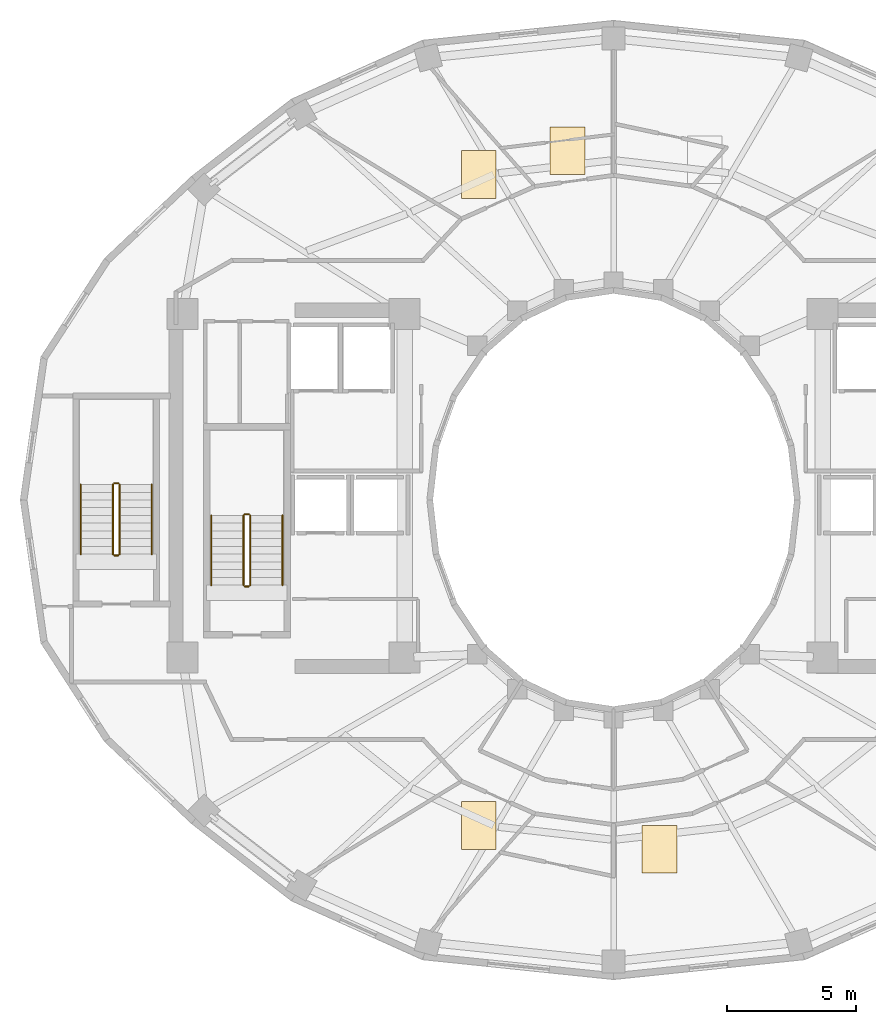
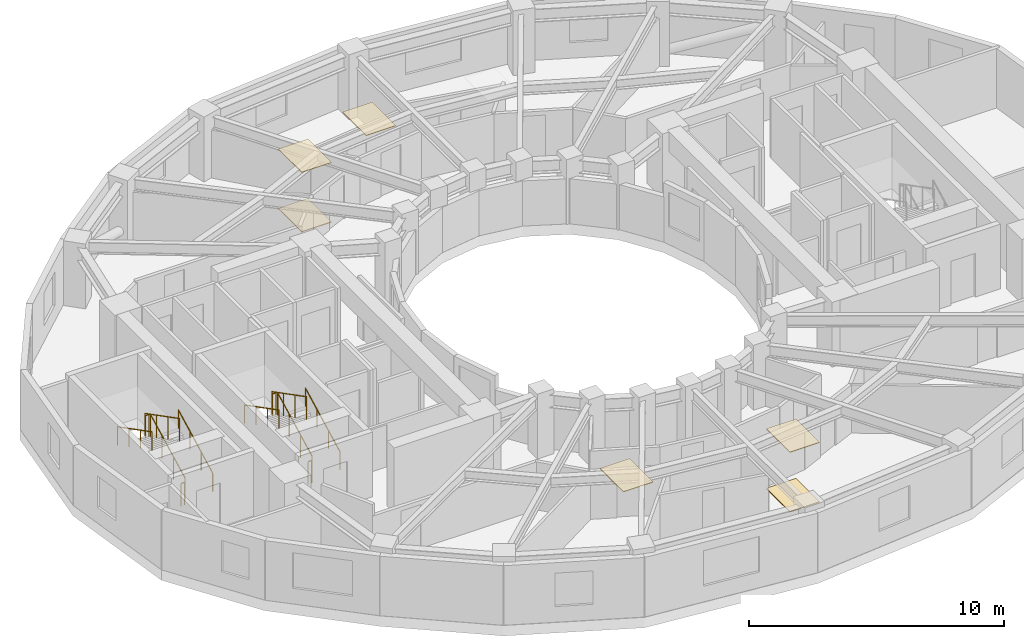
# One storey, part 8 of 9: 12 railings, 6 coverings.
"""IFC4 building model written with IfcOpenShell, lengths in metres."""

from ifc_helpers import new_model, si_unit, direction, frame, origin, origin_2d, place, context, subcontext, project, spatial, polyline, circle, outline, extrude, material, layer, layer_set, type_object, element, save


model = new_model("IFC4")

# Units and contexts
model_context = context("Model", 3, precision=1e-05, world=origin(), true_north=direction((0.0, 1.0)))
body_context = subcontext(model_context, "Body", "Model", "MODEL_VIEW")
ifc_project = project(units=[si_unit("LENGTHUNIT", "METRE"), si_unit("AREAUNIT", "SQUARE_METRE"), si_unit("VOLUMEUNIT", "CUBIC_METRE"), si_unit("PLANEANGLEUNIT", "RADIAN"), si_unit("MASSUNIT", "GRAM", prefix="KILO")], contexts=[model_context])

# Site, building, storey
site_placement = place(None, origin())
site = spatial("IfcSite", under=ifc_project, at=site_placement, CompositionType="ELEMENT")
building_placement = place(site_placement, origin())
building = spatial("IfcBuilding", under=site, at=building_placement, Name="Solvane Sanctuary Tower", CompositionType="ELEMENT")
storey_placement = place(building_placement, frame((0.0, 0.0, 180.800048828125)))
storey = spatial("IfcBuildingStorey", under=building, at=storey_placement, Name="L55", CompositionType="ELEMENT", Elevation=180.800048828125)

# Coverings
ifc_material_1 = material(Name="Acoustic Gypsum Partition Board")
ifc_layer_1 = layer(ifc_material_1, 0.02490234375, Name="Acoustic Gypsum Partition Board")
ifc_layer_set_1 = layer_set([ifc_layer_1], Name="Acoustic Gypsum Partition Board")
covering_type_1 = type_object("IfcCoveringType", Name="Covering CLG-ACOUST", PredefinedType="CEILING", material=ifc_layer_set_1)
covering_1_placement = place(storey_placement, frame((0.0, 0.0, 2.849853515625)))
element("IfcCovering", 1, at=covering_1_placement, inside=storey, type_object=covering_type_1, Name="L55 Unit Acoustic Ceiling Panel 2", PredefinedType="CEILING", context=body_context, shape_type="SweptSolid", body=[
    extrude(outline(polyline([(29.54296875, 35.60791015625), (30.89306640625, 35.60791015625), (30.89306640625, 37.4580078125), (29.54296875, 37.4580078125), (29.54296875, 35.60791015625)])), origin(), (0.0, 0.0, 1.0), 0.030029296875),
])
covering_2_placement = place(storey_placement, frame((0.0, 0.0, 2.849853515625)))
element("IfcCovering", 2, at=covering_2_placement, inside=storey, type_object=covering_type_1, Name="L55 Unit Acoustic Ceiling Panel 3", PredefinedType="CEILING", context=body_context, shape_type="SweptSolid", body=[
    extrude(outline(polyline([(26.10107421875, 34.68603515625), (27.450927734375, 34.68603515625), (27.450927734375, 36.535888671875), (26.10107421875, 36.535888671875), (26.10107421875, 34.68603515625)])), origin(), (0.0, 0.0, 1.0), 0.030029296875),
])
covering_3_placement = place(storey_placement, frame((0.0, 0.0, 2.849853515625)))
element("IfcCovering", 3, at=covering_3_placement, inside=storey, type_object=covering_type_1, Name="L55 Unit Acoustic Ceiling Panel 4", PredefinedType="CEILING", context=body_context, shape_type="SweptSolid", body=[
    extrude(outline(polyline([(26.10107421875, 9.464111328125), (27.450927734375, 9.464111328125), (27.450927734375, 11.31396484375), (26.10107421875, 11.31396484375), (26.10107421875, 9.464111328125)])), origin(), (0.0, 0.0, 1.0), 0.030029296875),
])
covering_4_placement = place(storey_placement, frame((0.0, 0.0, 2.849853515625)))
element("IfcCovering", 4, at=covering_4_placement, inside=storey, type_object=covering_type_1, Name="L55 Unit Acoustic Ceiling Panel 5", PredefinedType="CEILING", context=body_context, shape_type="SweptSolid", body=[
    extrude(outline(polyline([(33.10693359375, 8.5419921875), (34.45703125, 8.5419921875), (34.45703125, 10.39208984375), (33.10693359375, 10.39208984375), (33.10693359375, 8.5419921875)])), origin(), (0.0, 0.0, 1.0), 0.030029296875),
])
ifc_material_2 = material(Name="Ceramic Tile Finish")
ifc_layer_2 = layer(ifc_material_2, 0.030029296875, Name="Ceramic Tile Finish")
ifc_layer_set_2 = layer_set([ifc_layer_2], Name="Ceramic Tile Finish")
covering_type_2 = type_object("IfcCoveringType", Name="Covering FLR-TERRAZZO", PredefinedType="FLOORING", material=ifc_layer_set_2)
covering_5_placement = place(storey_placement, origin())
element("IfcCovering", 5, at=covering_5_placement, inside=storey, type_object=covering_type_2, Name="L55 Unit Terrazzo Inlay 3", PredefinedType="FLOORING", context=body_context, shape_type="SweptSolid", body=[
    extrude(outline(polyline([(26.10107421875, 34.68603515625), (27.450927734375, 34.68603515625), (27.450927734375, 36.535888671875), (26.10107421875, 36.535888671875), (26.10107421875, 34.68603515625)])), origin(), (0.0, 0.0, 1.0), 0.034912109375),
])
covering_6_placement = place(storey_placement, origin())
element("IfcCovering", 6, at=covering_6_placement, inside=storey, type_object=covering_type_2, Name="L55 Unit Terrazzo Inlay 5", PredefinedType="FLOORING", context=body_context, shape_type="SweptSolid", body=[
    extrude(outline(polyline([(33.10693359375, 8.5419921875), (34.45703125, 8.5419921875), (34.45703125, 10.39208984375), (33.10693359375, 10.39208984375), (33.10693359375, 8.5419921875)])), origin(), (0.0, 0.0, 1.0), 0.034912109375),
])

# Railings
ifc_material_3 = material(Name="Architectural Stainless Steel 316", Category="steel")
railing_type_1 = type_object("IfcRailingType", Name="Railing GR-BALC-1150", PredefinedType="BALUSTRADE", material=ifc_material_3)
railing_1_placement = place(storey_placement, frame((17.919921875, 19.699951171875, 0.155029296875)))
element("IfcRailing", 7, at=railing_1_placement, inside=storey, type_object=railing_type_1, Name="L55 ST-1 stair guard 1", PredefinedType="BALUSTRADE", context=body_context, shape_type="SweptSolid", body=[
    extrude(circle(Radius=0.02392578125, at=origin_2d()), frame((0.0, 0.0, 1.076171875), z_axis=(0.0, 0.888419900624, 0.459031676658), x_axis=(-1.0, 0.0, 0.0)), (0.0, 0.0, 1.0), 3.0390625),
    extrude(circle(Radius=0.02099609375, at=origin_2d()), origin(), (0.0, 0.0, 1.0), 1.052001953125),
    extrude(circle(Radius=0.02099609375, at=origin_2d()), frame((0.0, 0.89990234375, 0.465087890625)), (0.0, 0.0, 1.0), 1.052001953125),
    extrude(circle(Radius=0.02099609375, at=origin_2d()), frame((0.0, 1.800048828125, 0.929931640625)), (0.0, 0.0, 1.0), 1.052001953125),
    extrude(circle(Radius=0.02099609375, at=origin_2d()), frame((0.0, 2.699951171875, 1.39501953125)), (0.0, 0.0, 1.0), 1.052001953125),
])
railing_2_placement = place(storey_placement, frame((17.8701171875, 22.449951171875, 1.550048828125)))
element("IfcRailing", 8, at=railing_2_placement, inside=storey, type_object=railing_type_1, Name="L55 ST-1 stair guard 2", PredefinedType="BALUSTRADE", context=body_context, shape_type="SweptSolid", body=[
    extrude(circle(Radius=0.02392578125, at=origin_2d()), frame((0.0, 0.0, 1.076171875), z_axis=(-1.0, 0.0, 0.0), x_axis=(0.0, -1.0, 0.0)), (0.0, 0.0, 1.0), 0.16015625),
    extrude(circle(Radius=0.02099609375, at=origin_2d()), origin(), (0.0, 0.0, 1.0), 1.052001953125),
    extrude(circle(Radius=0.02099609375, at=origin_2d()), frame((-0.16015625, 0.0, 0.0)), (0.0, 0.0, 1.0), 1.052001953125),
])
railing_3_placement = place(storey_placement, frame((17.659912109375, 22.39990234375, 1.704833984375)))
element("IfcRailing", 9, at=railing_3_placement, inside=storey, type_object=railing_type_1, Name="L55 ST-1 stair guard 3", PredefinedType="BALUSTRADE", context=body_context, shape_type="SweptSolid", body=[
    extrude(circle(Radius=0.02392578125, at=origin_2d()), frame((0.0, 0.0, 1.076171875), z_axis=(0.0, -0.888419900624, 0.459031676658), x_axis=(1.0, 0.0, 0.0)), (0.0, 0.0, 1.0), 3.0390625),
    extrude(circle(Radius=0.02099609375, at=origin_2d()), origin(), (0.0, 0.0, 1.0), 1.052001953125),
    extrude(circle(Radius=0.02099609375, at=origin_2d()), frame((0.0, -0.89990234375, 0.465087890625)), (0.0, 0.0, 1.0), 1.052001953125),
    extrude(circle(Radius=0.02099609375, at=origin_2d()), frame((0.0, -1.800048828125, 0.929931640625)), (0.0, 0.0, 1.0), 1.052001953125),
    extrude(circle(Radius=0.02099609375, at=origin_2d()), frame((0.0, -2.699951171875, 1.39501953125)), (0.0, 0.0, 1.0), 1.052001953125),
])
railing_4_placement = place(storey_placement, frame((17.8701171875, 19.64990234375, 0.0)))
element("IfcRailing", 10, at=railing_4_placement, inside=storey, type_object=railing_type_1, Name="L55 ST-1 stair guard 4", PredefinedType="BALUSTRADE", context=body_context, shape_type="SweptSolid", body=[
    extrude(circle(Radius=0.02392578125, at=origin_2d()), frame((0.0, 0.0, 1.076171875), z_axis=(-1.0, 0.0, 0.0), x_axis=(0.0, -1.0, 0.0)), (0.0, 0.0, 1.0), 0.16015625),
    extrude(circle(Radius=0.02099609375, at=origin_2d()), origin(), (0.0, 0.0, 1.0), 1.052001953125),
    extrude(circle(Radius=0.02099609375, at=origin_2d()), frame((-0.16015625, 0.0, 0.0)), (0.0, 0.0, 1.0), 1.052001953125),
])
railing_5_placement = place(storey_placement, frame((12.860107421875, 20.89990234375, 0.155029296875)))
element("IfcRailing", 11, at=railing_5_placement, inside=storey, type_object=railing_type_1, Name="L55 ST-3 stair guard 1", PredefinedType="BALUSTRADE", context=body_context, shape_type="SweptSolid", body=[
    extrude(circle(Radius=0.02392578125, at=origin_2d()), frame((0.0, 0.0, 1.076171875), z_axis=(0.0, 0.888436826113, 0.458998917216), x_axis=(-1.0, 0.0, 0.0)), (0.0, 0.0, 1.0), 3.039306640625),
    extrude(circle(Radius=0.02099609375, at=origin_2d()), origin(), (0.0, 0.0, 1.0), 1.052001953125),
    extrude(circle(Radius=0.02099609375, at=origin_2d()), frame((0.0, 0.900146484375, 0.465087890625)), (0.0, 0.0, 1.0), 1.052001953125),
    extrude(circle(Radius=0.02099609375, at=origin_2d()), frame((0.0, 1.800048828125, 0.929931640625)), (0.0, 0.0, 1.0), 1.052001953125),
    extrude(circle(Radius=0.02099609375, at=origin_2d()), frame((0.0, 2.7001953125, 1.39501953125)), (0.0, 0.0, 1.0), 1.052001953125),
])
railing_6_placement = place(storey_placement, frame((12.81005859375, 23.64990234375, 1.550048828125)))
element("IfcRailing", 12, at=railing_6_placement, inside=storey, type_object=railing_type_1, Name="L55 ST-3 stair guard 2", PredefinedType="BALUSTRADE", context=body_context, shape_type="SweptSolid", body=[
    extrude(circle(Radius=0.02392578125, at=origin_2d()), frame((0.0, 0.0, 1.076171875), z_axis=(-1.0, 0.0, 0.0), x_axis=(0.0, -1.0, 0.0)), (0.0, 0.0, 1.0), 0.16015625),
    extrude(circle(Radius=0.02099609375, at=origin_2d()), origin(), (0.0, 0.0, 1.0), 1.052001953125),
    extrude(circle(Radius=0.02099609375, at=origin_2d()), frame((-0.16015625, 0.0, 0.0)), (0.0, 0.0, 1.0), 1.052001953125),
])
railing_7_placement = place(storey_placement, frame((12.60009765625, 23.60009765625, 1.704833984375)))
element("IfcRailing", 13, at=railing_7_placement, inside=storey, type_object=railing_type_1, Name="L55 ST-3 stair guard 3", PredefinedType="BALUSTRADE", context=body_context, shape_type="SweptSolid", body=[
    extrude(circle(Radius=0.02392578125, at=origin_2d()), frame((0.0, 0.0, 1.076171875), z_axis=(0.0, -0.888436826113, 0.458998917216), x_axis=(1.0, 0.0, 0.0)), (0.0, 0.0, 1.0), 3.039306640625),
    extrude(circle(Radius=0.02099609375, at=origin_2d()), origin(), (0.0, 0.0, 1.0), 1.052001953125),
    extrude(circle(Radius=0.02099609375, at=origin_2d()), frame((0.0, -0.900146484375, 0.465087890625)), (0.0, 0.0, 1.0), 1.052001953125),
    extrude(circle(Radius=0.02099609375, at=origin_2d()), frame((0.0, -1.800048828125, 0.929931640625)), (0.0, 0.0, 1.0), 1.052001953125),
    extrude(circle(Radius=0.02099609375, at=origin_2d()), frame((0.0, -2.7001953125, 1.39501953125)), (0.0, 0.0, 1.0), 1.052001953125),
])
railing_8_placement = place(storey_placement, frame((12.81005859375, 20.85009765625, 0.0)))
element("IfcRailing", 14, at=railing_8_placement, inside=storey, type_object=railing_type_1, Name="L55 ST-3 stair guard 4", PredefinedType="BALUSTRADE", context=body_context, shape_type="SweptSolid", body=[
    extrude(circle(Radius=0.02392578125, at=origin_2d()), frame((0.0, 0.0, 1.076171875), z_axis=(-1.0, 0.0, 0.0), x_axis=(0.0, -1.0, 0.0)), (0.0, 0.0, 1.0), 0.16015625),
    extrude(circle(Radius=0.02099609375, at=origin_2d()), origin(), (0.0, 0.0, 1.0), 1.052001953125),
    extrude(circle(Radius=0.02099609375, at=origin_2d()), frame((-0.16015625, 0.0, 0.0)), (0.0, 0.0, 1.0), 1.052001953125),
])
railing_type_2 = type_object("IfcRailingType", Name="Railing HR-STAIR-920", PredefinedType="HANDRAIL", material=ifc_material_3)
railing_9_placement = place(storey_placement, frame((19.169921875, 19.699951171875, 0.155029296875)))
element("IfcRailing", 15, at=railing_9_placement, inside=storey, type_object=railing_type_2, Name="L55 ST-1 stair handrail 1", PredefinedType="HANDRAIL", context=body_context, shape_type="SweptSolid", body=[
    extrude(circle(Radius=0.02392578125, at=origin_2d()), frame((0.0, 0.0, 0.8759765625), z_axis=(0.0, 0.888419900624, 0.459031676658), x_axis=(-1.0, 0.0, 0.0)), (0.0, 0.0, 1.0), 3.0390625),
    extrude(circle(Radius=0.02099609375, at=origin_2d()), origin(), (0.0, 0.0, 1.0), 0.851806640625),
    extrude(circle(Radius=0.02099609375, at=origin_2d()), frame((0.0, 0.89990234375, 0.465087890625)), (0.0, 0.0, 1.0), 0.851806640625),
    extrude(circle(Radius=0.02099609375, at=origin_2d()), frame((0.0, 1.800048828125, 0.929931640625)), (0.0, 0.0, 1.0), 0.851806640625),
    extrude(circle(Radius=0.02099609375, at=origin_2d()), frame((0.0, 2.699951171875, 1.39501953125)), (0.0, 0.0, 1.0), 0.851806640625),
])
railing_10_placement = place(storey_placement, frame((16.409912109375, 22.39990234375, 1.704833984375)))
element("IfcRailing", 16, at=railing_10_placement, inside=storey, type_object=railing_type_2, Name="L55 ST-1 stair handrail 2", PredefinedType="HANDRAIL", context=body_context, shape_type="SweptSolid", body=[
    extrude(circle(Radius=0.02392578125, at=origin_2d()), frame((0.0, 0.0, 0.8759765625), z_axis=(0.0, -0.888419900624, 0.459031676658), x_axis=(1.0, 0.0, 0.0)), (0.0, 0.0, 1.0), 3.0390625),
    extrude(circle(Radius=0.02099609375, at=origin_2d()), origin(), (0.0, 0.0, 1.0), 0.851806640625),
    extrude(circle(Radius=0.02099609375, at=origin_2d()), frame((0.0, -0.89990234375, 0.465087890625)), (0.0, 0.0, 1.0), 0.851806640625),
    extrude(circle(Radius=0.02099609375, at=origin_2d()), frame((0.0, -1.800048828125, 0.929931640625)), (0.0, 0.0, 1.0), 0.851806640625),
    extrude(circle(Radius=0.02099609375, at=origin_2d()), frame((0.0, -2.699951171875, 1.39501953125)), (0.0, 0.0, 1.0), 0.851806640625),
])
railing_11_placement = place(storey_placement, frame((14.110107421875, 20.89990234375, 0.155029296875)))
element("IfcRailing", 17, at=railing_11_placement, inside=storey, type_object=railing_type_2, Name="L55 ST-3 stair handrail 1", PredefinedType="HANDRAIL", context=body_context, shape_type="SweptSolid", body=[
    extrude(circle(Radius=0.02392578125, at=origin_2d()), frame((0.0, 0.0, 0.8759765625), z_axis=(0.0, 0.888436826113, 0.458998917216), x_axis=(-1.0, 0.0, 0.0)), (0.0, 0.0, 1.0), 3.039306640625),
    extrude(circle(Radius=0.02099609375, at=origin_2d()), origin(), (0.0, 0.0, 1.0), 0.851806640625),
    extrude(circle(Radius=0.02099609375, at=origin_2d()), frame((0.0, 0.900146484375, 0.465087890625)), (0.0, 0.0, 1.0), 0.851806640625),
    extrude(circle(Radius=0.02099609375, at=origin_2d()), frame((0.0, 1.800048828125, 0.929931640625)), (0.0, 0.0, 1.0), 0.851806640625),
    extrude(circle(Radius=0.02099609375, at=origin_2d()), frame((0.0, 2.7001953125, 1.39501953125)), (0.0, 0.0, 1.0), 0.851806640625),
])
railing_12_placement = place(storey_placement, frame((11.35009765625, 23.60009765625, 1.704833984375)))
element("IfcRailing", 18, at=railing_12_placement, inside=storey, type_object=railing_type_2, Name="L55 ST-3 stair handrail 2", PredefinedType="HANDRAIL", context=body_context, shape_type="SweptSolid", body=[
    extrude(circle(Radius=0.02392578125, at=origin_2d()), frame((0.0, 0.0, 0.8759765625), z_axis=(0.0, -0.888436826113, 0.458998917216), x_axis=(1.0, 0.0, 0.0)), (0.0, 0.0, 1.0), 3.039306640625),
    extrude(circle(Radius=0.02099609375, at=origin_2d()), origin(), (0.0, 0.0, 1.0), 0.851806640625),
    extrude(circle(Radius=0.02099609375, at=origin_2d()), frame((0.0, -0.900146484375, 0.465087890625)), (0.0, 0.0, 1.0), 0.851806640625),
    extrude(circle(Radius=0.02099609375, at=origin_2d()), frame((0.0, -1.800048828125, 0.929931640625)), (0.0, 0.0, 1.0), 0.851806640625),
    extrude(circle(Radius=0.02099609375, at=origin_2d()), frame((0.0, -2.7001953125, 1.39501953125)), (0.0, 0.0, 1.0), 0.851806640625),
])

save(model, "model.ifc")
